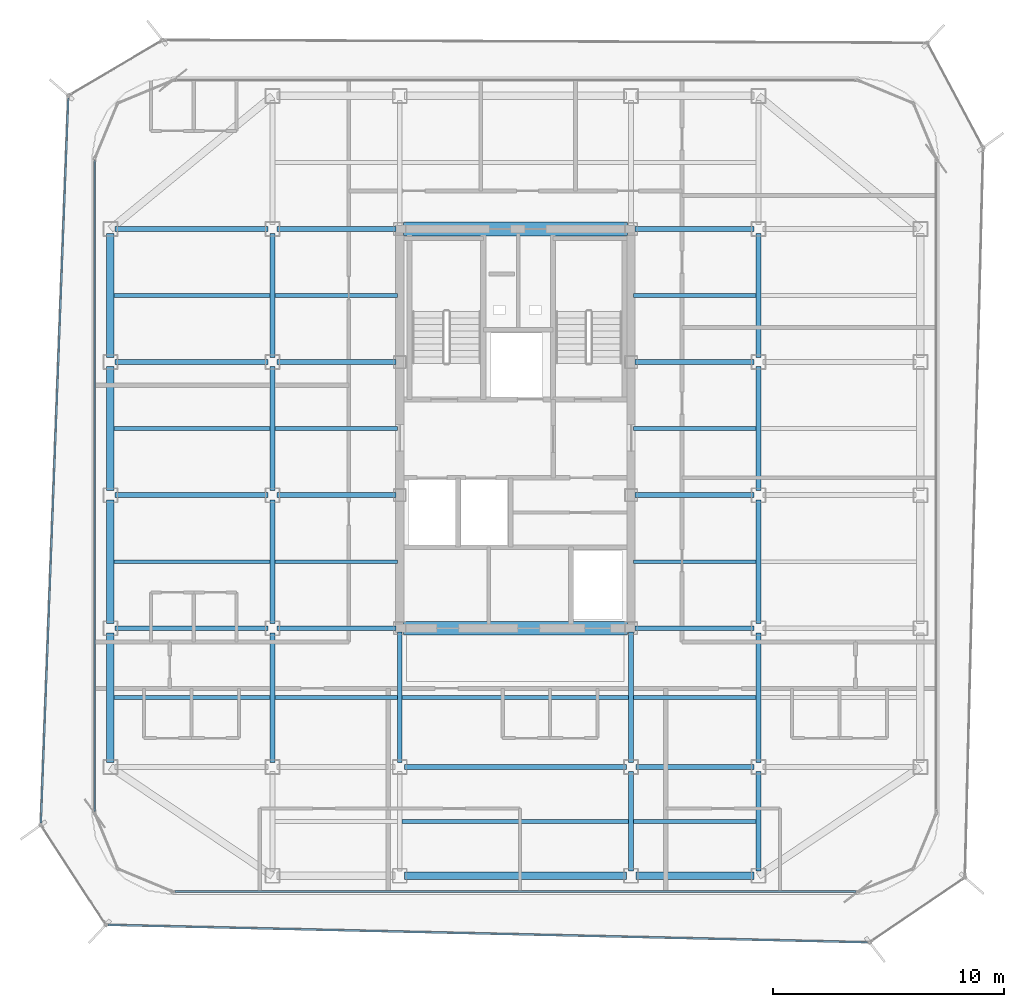
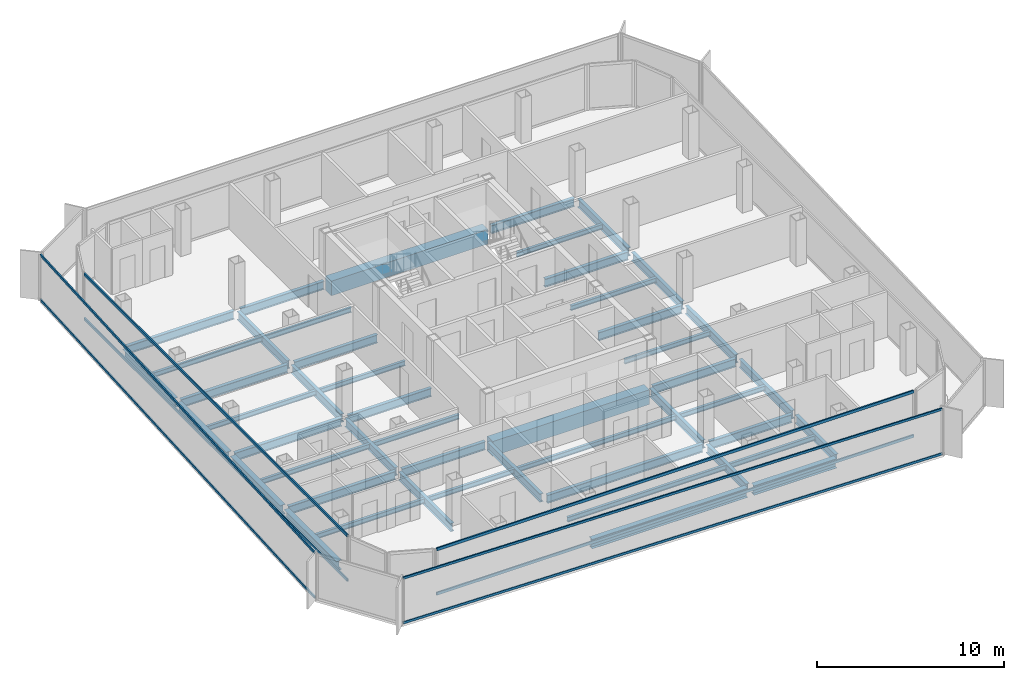
# One storey, part 3 of 15: 49 beams, 8 members, 4 elements without a shape of their own.
"""IFC4 building model written with IfcOpenShell, lengths in metres."""

from ifc_helpers import new_model, si_unit, direction, frame, origin, origin_2d, place, context, subcontext, project, spatial, rectangle, hollow_rectangle, i_section, extrude, source, transform, mapped, material, layer, layer_set, material_profile, profile_set, type_object, element, aggregate, save


model = new_model("IFC4")

# Units and contexts
model_context = context("Model", 3, precision=1e-05, world=origin(), true_north=direction((0.0, 1.0)))
body_context = subcontext(model_context, "Body", "Model", "MODEL_VIEW")
ifc_project = project(units=[si_unit("LENGTHUNIT", "METRE"), si_unit("AREAUNIT", "SQUARE_METRE"), si_unit("VOLUMEUNIT", "CUBIC_METRE"), si_unit("PLANEANGLEUNIT", "RADIAN"), si_unit("MASSUNIT", "GRAM", prefix="KILO")], contexts=[model_context])

# Site, building, storey
site_placement = place(None, origin())
site = spatial("IfcSite", under=ifc_project, at=site_placement, CompositionType="ELEMENT")
building_placement = place(site_placement, origin())
building = spatial("IfcBuilding", under=site, at=building_placement, Name="Kolveth Station Tower", CompositionType="ELEMENT")
storey_placement = place(building_placement, frame((0.0, 0.0, 220.10009765625)))
storey = spatial("IfcBuildingStorey", under=building, at=storey_placement, Name="L62", CompositionType="ELEMENT", Elevation=220.10009765625)

# Beams
ifc_material_1 = material(Name="Steel S355", Category="steel")
ifc_material_profile_1 = material_profile(ifc_material_1, i_section(OverallWidth=0.323974609375, OverallDepth=0.611083984375, WebThickness=0.0126953125, FlangeThickness=0.01904296875, at=origin_2d()), Name="W610x155")
ifc_profile_set_1 = profile_set([ifc_material_profile_1], Name="Steel S355")
beam_type_1 = type_object("IfcBeamType", Name="Beam_SP2", PredefinedType="SPANDREL", material=ifc_profile_set_1)
shared_shape_1 = source(origin(), body_context, "Body", "SweptSolid", [
    extrude(i_section(OverallWidth=0.323974609375, OverallDepth=0.611083984375, WebThickness=0.0126953125, FlangeThickness=0.01904296875, at=origin_2d()), origin(), (0.0, 0.0, 1.0), 5.10009765625),
])
beam_1_placement = place(storey_placement, frame((28.699951171875, 0.800048828125, -0.525634765625), z_axis=(1.0, 0.0, 0.0), x_axis=(0.0, 1.0, 0.0)))
element("IfcBeam", 1, at=beam_1_placement, inside=storey, type_object=beam_type_1, Name="L62 Perimeter Spandrel BM-L62-PS-3", PredefinedType="SPANDREL", context=body_context, shape_type="MappedRepresentation", body=[
    mapped(shared_shape_1, transform((0.0, 0.0, 0.0), x_axis=(1.0, 0.0, 0.0), y_axis=(0.0, 1.0, 0.0), z_axis=(0.0, 0.0, 1.0), scale=1.0)),
])
shared_shape_2 = source(origin(), body_context, "Body", "SweptSolid", [
    extrude(i_section(OverallWidth=0.323974609375, OverallDepth=0.611083984375, WebThickness=0.0126953125, FlangeThickness=0.01904296875, at=origin_2d()), origin(), (0.0, 0.0, 1.0), 9.60009765625),
])
beam_2_placement = place(storey_placement, frame((18.699951171875, 0.800048828125, -0.525634765625), z_axis=(1.0, 0.0, 0.0), x_axis=(0.0, 1.0, 0.0)))
element("IfcBeam", 2, at=beam_2_placement, inside=storey, type_object=beam_type_1, Name="L62 Perimeter Spandrel BM-L62-PS-2", PredefinedType="SPANDREL", context=body_context, shape_type="MappedRepresentation", body=[
    mapped(shared_shape_2, transform((0.0, 0.0, 0.0), x_axis=(1.0, 0.0, 0.0), y_axis=(0.0, 1.0, 0.0), z_axis=(0.0, 0.0, 1.0), scale=1.0)),
])
shared_shape_3 = source(origin(), body_context, "Body", "SweptSolid", [
    extrude(i_section(OverallWidth=0.323974609375, OverallDepth=0.611083984375, WebThickness=0.0126953125, FlangeThickness=0.01904296875, at=origin_2d()), origin(), (0.0, 0.0, 1.0), 5.60009765625),
])
beam_3_placement = place(storey_placement, frame((6.0, 5.699951171875, -0.525634765625), z_axis=(0.0, 1.0, 0.0), x_axis=(-1.0, 0.0, 0.0)))
element("IfcBeam", 3, at=beam_3_placement, inside=storey, type_object=beam_type_1, Name="L62 Perimeter Spandrel BM-L62-PW-1", PredefinedType="SPANDREL", context=body_context, shape_type="MappedRepresentation", body=[
    mapped(shared_shape_3, transform((0.0, 0.0, 0.0), x_axis=(1.0, 0.0, 0.0), y_axis=(0.0, 1.0, 0.0), z_axis=(0.0, 0.0, 1.0), scale=1.0)),
])
shared_shape_4 = source(origin(), body_context, "Body", "SweptSolid", [
    extrude(i_section(OverallWidth=0.323974609375, OverallDepth=0.611083984375, WebThickness=0.0126953125, FlangeThickness=0.01904296875, at=origin_2d()), origin(), (0.0, 0.0, 1.0), 5.35009765625),
])
for number, where, z_axis, x_axis, name in (
    (4, (6.0, 11.699951171875, -0.525634765625), (0.0, 1.0, 0.0), (-1.0, 0.0, 0.0), "L62 Perimeter Spandrel BM-L62-PW-2"),
    (5, (6.0, 17.449951171875, -0.525634765625), (0.0, 1.0, 0.0), (-1.0, 0.0, 0.0), "L62 Perimeter Spandrel BM-L62-PW-3"),
    (6, (6.0, 23.199951171875, -0.525634765625), (0.0, 1.0, 0.0), (-1.0, 0.0, 0.0), "L62 Perimeter Spandrel BM-L62-PW-4"),
):
    element("IfcBeam", number, at=place(storey_placement, frame(where, z_axis=z_axis, x_axis=x_axis)), inside=storey, type_object=beam_type_1, Name=name, PredefinedType="SPANDREL", context=body_context, shape_type="MappedRepresentation", body=[
        mapped(shared_shape_4, transform((0.0, 0.0, 0.0), x_axis=(1.0, 0.0, 0.0), y_axis=(0.0, 1.0, 0.0), z_axis=(0.0, 0.0, 1.0), scale=1.0)),
    ])
ifc_material_profile_2 = material_profile(ifc_material_1, i_section(OverallWidth=0.2099609375, OverallDepth=0.537109375, WebThickness=0.010986328125, FlangeThickness=0.017333984375, at=origin_2d()), Name="W530x101")
ifc_profile_set_2 = profile_set([ifc_material_profile_2], Name="Steel S355")
beam_type_2 = type_object("IfcBeamType", Name="Beam_B6", PredefinedType="BEAM", material=ifc_profile_set_2)
shared_shape_5 = source(origin(), body_context, "Body", "SweptSolid", [
    extrude(i_section(OverallWidth=0.2099609375, OverallDepth=0.537109375, WebThickness=0.010986328125, FlangeThickness=0.017333984375, at=origin_2d()), origin(), (0.0, 0.0, 1.0), 6.60009765625),
])
for number, where, z_axis, x_axis, name in (
    (7, (6.199951171875, 11.5, -0.488525390625), (1.0, 0.0, 0.0), (0.0, 1.0, 0.0), "L62 Primary Girder BM-L62-GY115-1"),
    (8, (6.199951171875, 17.25, -0.488525390625), (1.0, 0.0, 0.0), (0.0, 1.0, 0.0), "L62 Primary Girder BM-L62-GY172-1"),
    (9, (6.199951171875, 23.0, -0.488525390625), (1.0, 0.0, 0.0), (0.0, 1.0, 0.0), "L62 Primary Girder BM-L62-GY230-1"),
    (10, (6.199951171875, 28.75, -0.488525390625), (1.0, 0.0, 0.0), (0.0, 1.0, 0.0), "L62 Primary Girder BM-L62-GY287-1"),
):
    element("IfcBeam", number, at=place(storey_placement, frame(where, z_axis=z_axis, x_axis=x_axis)), inside=storey, type_object=beam_type_2, Name=name, PredefinedType="BEAM", context=body_context, shape_type="MappedRepresentation", body=[
        mapped(shared_shape_5, transform((0.0, 0.0, 0.0), x_axis=(1.0, 0.0, 0.0), y_axis=(0.0, 1.0, 0.0), z_axis=(0.0, 0.0, 1.0), scale=1.0)),
    ])
shared_shape_6 = source(origin(), body_context, "Body", "SweptSolid", [
    extrude(i_section(OverallWidth=0.2099609375, OverallDepth=0.537109375, WebThickness=0.010986328125, FlangeThickness=0.017333984375, at=origin_2d()), origin(), (0.0, 0.0, 1.0), 5.10009765625),
])
beam_4_placement = place(storey_placement, frame((28.699951171875, 5.5, -0.488525390625), z_axis=(1.0, 0.0, 0.0), x_axis=(0.0, 1.0, 0.0)))
element("IfcBeam", 11, at=beam_4_placement, inside=storey, type_object=beam_type_2, Name="L62 Primary Girder BM-L62-GY55-4", PredefinedType="BEAM", context=body_context, shape_type="MappedRepresentation", body=[
    mapped(shared_shape_6, transform((0.0, 0.0, 0.0), x_axis=(1.0, 0.0, 0.0), y_axis=(0.0, 1.0, 0.0), z_axis=(0.0, 0.0, 1.0), scale=1.0)),
])
shared_shape_7 = source(origin(), body_context, "Body", "SweptSolid", [
    extrude(i_section(OverallWidth=0.2099609375, OverallDepth=0.537109375, WebThickness=0.010986328125, FlangeThickness=0.017333984375, at=origin_2d()), origin(), (0.0, 0.0, 1.0), 9.60009765625),
])
beam_5_placement = place(storey_placement, frame((18.699951171875, 5.5, -0.488525390625), z_axis=(1.0, 0.0, 0.0), x_axis=(0.0, 1.0, 0.0)))
element("IfcBeam", 12, at=beam_5_placement, inside=storey, type_object=beam_type_2, Name="L62 Primary Girder BM-L62-GY55-3", PredefinedType="BEAM", context=body_context, shape_type="MappedRepresentation", body=[
    mapped(shared_shape_7, transform((0.0, 0.0, 0.0), x_axis=(1.0, 0.0, 0.0), y_axis=(0.0, 1.0, 0.0), z_axis=(0.0, 0.0, 1.0), scale=1.0)),
])
shared_shape_8 = source(origin(), body_context, "Body", "SweptSolid", [
    extrude(i_section(OverallWidth=0.2099609375, OverallDepth=0.537109375, WebThickness=0.010986328125, FlangeThickness=0.017333984375, at=origin_2d()), origin(), (0.0, 0.0, 1.0), 5.14013671875),
])
for number, where, z_axis, x_axis, name in (
    (13, (13.199951171875, 11.5, -0.488525390625), (1.0, 0.0, 0.0), (0.0, 1.0, 0.0), "L62 Primary Girder BM-L62-GY115-2"),
    (14, (28.659912109375, 11.5, -0.488525390625), (1.0, 0.0, 0.0), (0.0, 1.0, 0.0), "L62 Primary Girder BM-L62-GY115-4"),
    (15, (13.199951171875, 17.25, -0.488525390625), (1.0, 0.0, 0.0), (0.0, 1.0, 0.0), "L62 Primary Girder BM-L62-GY172-2"),
    (16, (28.659912109375, 17.25, -0.488525390625), (1.0, 0.0, 0.0), (0.0, 1.0, 0.0), "L62 Primary Girder BM-L62-GY172-4"),
    (17, (13.199951171875, 23.0, -0.488525390625), (1.0, 0.0, 0.0), (0.0, 1.0, 0.0), "L62 Primary Girder BM-L62-GY230-2"),
    (18, (28.659912109375, 23.0, -0.488525390625), (1.0, 0.0, 0.0), (0.0, 1.0, 0.0), "L62 Primary Girder BM-L62-GY230-4"),
    (19, (13.199951171875, 28.75, -0.488525390625), (1.0, 0.0, 0.0), (0.0, 1.0, 0.0), "L62 Primary Girder BM-L62-GY287-2"),
    (20, (28.659912109375, 28.75, -0.488525390625), (1.0, 0.0, 0.0), (0.0, 1.0, 0.0), "L62 Primary Girder BM-L62-GY287-4"),
):
    element("IfcBeam", number, at=place(storey_placement, frame(where, z_axis=z_axis, x_axis=x_axis)), inside=storey, type_object=beam_type_2, Name=name, PredefinedType="BEAM", context=body_context, shape_type="MappedRepresentation", body=[
        mapped(shared_shape_8, transform((0.0, 0.0, 0.0), x_axis=(1.0, 0.0, 0.0), y_axis=(0.0, 1.0, 0.0), z_axis=(0.0, 0.0, 1.0), scale=1.0)),
    ])
ifc_material_2 = material(Name="Concrete C60/75", Category="concrete")
ifc_material_profile_3 = material_profile(ifc_material_2, rectangle(XDim=0.60009765625, YDim=0.949951171875, at=origin_2d()), Name="RC-600x950")
ifc_profile_set_3 = profile_set([ifc_material_profile_3], Name="Concrete C60/75")
beam_type_3 = type_object("IfcBeamType", Name="Beam_CB1", PredefinedType="BEAM", material=ifc_profile_set_3)
shared_shape_9 = source(origin(), body_context, "Body", "SweptSolid", [
    extrude(rectangle(XDim=0.60009765625, YDim=0.949951171875, at=origin_2d()), origin(), (0.0, 0.0, 1.0), 9.68017578125),
])
for number, where, z_axis, x_axis, name in (
    (21, (18.659912109375, 11.5, -0.695068359375), (1.0, 0.0, 0.0), (0.0, 1.0, 0.0), "L62 Core Coupling Beam BM-L62-CB-Y115"),
    (22, (18.659912109375, 28.75, -0.695068359375), (1.0, 0.0, 0.0), (0.0, 1.0, 0.0), "L62 Core Coupling Beam BM-L62-CB-Y287"),
):
    element("IfcBeam", number, at=place(storey_placement, frame(where, z_axis=z_axis, x_axis=x_axis)), inside=storey, type_object=beam_type_3, Name=name, PredefinedType="BEAM", context=body_context, shape_type="MappedRepresentation", body=[
        mapped(shared_shape_9, transform((0.0, 0.0, 0.0), x_axis=(1.0, 0.0, 0.0), y_axis=(0.0, 1.0, 0.0), z_axis=(0.0, 0.0, 1.0), scale=1.0)),
    ])
shared_shape_10 = source(origin(), body_context, "Body", "SweptSolid", [
    extrude(i_section(OverallWidth=0.2099609375, OverallDepth=0.537109375, WebThickness=0.010986328125, FlangeThickness=0.017333984375, at=origin_2d()), origin(), (0.0, 0.0, 1.0), 4.300048828125),
])
for number, where, z_axis, x_axis, name in (
    (23, (28.5, 1.0, -0.488525390625), (0.0, 1.0, 0.0), (-1.0, 0.0, 0.0), "L62 Primary Girder BM-L62-GX285-1"),
    (24, (34.0, 1.0, -0.488525390625), (0.0, 1.0, 0.0), (-1.0, 0.0, 0.0), "L62 Primary Girder BM-L62-GX340-1"),
):
    element("IfcBeam", number, at=place(storey_placement, frame(where, z_axis=z_axis, x_axis=x_axis)), inside=storey, type_object=beam_type_2, Name=name, PredefinedType="BEAM", context=body_context, shape_type="MappedRepresentation", body=[
        mapped(shared_shape_10, transform((0.0, 0.0, 0.0), x_axis=(1.0, 0.0, 0.0), y_axis=(0.0, 1.0, 0.0), z_axis=(0.0, 0.0, 1.0), scale=1.0)),
    ])
shared_shape_11 = source(origin(), body_context, "Body", "SweptSolid", [
    extrude(i_section(OverallWidth=0.2099609375, OverallDepth=0.537109375, WebThickness=0.010986328125, FlangeThickness=0.017333984375, at=origin_2d()), origin(), (0.0, 0.0, 1.0), 5.60009765625),
])
for number, where, z_axis, x_axis, name in (
    (25, (13.0, 5.699951171875, -0.488525390625), (0.0, 1.0, 0.0), (-1.0, 0.0, 0.0), "L62 Primary Girder BM-L62-GX130-2"),
    (26, (34.0, 5.699951171875, -0.488525390625), (0.0, 1.0, 0.0), (-1.0, 0.0, 0.0), "L62 Primary Girder BM-L62-GX340-2"),
):
    element("IfcBeam", number, at=place(storey_placement, frame(where, z_axis=z_axis, x_axis=x_axis)), inside=storey, type_object=beam_type_2, Name=name, PredefinedType="BEAM", context=body_context, shape_type="MappedRepresentation", body=[
        mapped(shared_shape_11, transform((0.0, 0.0, 0.0), x_axis=(1.0, 0.0, 0.0), y_axis=(0.0, 1.0, 0.0), z_axis=(0.0, 0.0, 1.0), scale=1.0)),
    ])
shared_shape_12 = source(origin(), body_context, "Body", "SweptSolid", [
    extrude(i_section(OverallWidth=0.2099609375, OverallDepth=0.537109375, WebThickness=0.010986328125, FlangeThickness=0.017333984375, at=origin_2d()), origin(), (0.0, 0.0, 1.0), 5.35009765625),
])
for number, where, z_axis, x_axis, name in (
    (27, (13.0, 11.699951171875, -0.488525390625), (0.0, 1.0, 0.0), (-1.0, 0.0, 0.0), "L62 Primary Girder BM-L62-GX130-3"),
    (28, (13.0, 17.449951171875, -0.488525390625), (0.0, 1.0, 0.0), (-1.0, 0.0, 0.0), "L62 Primary Girder BM-L62-GX130-4"),
    (29, (13.0, 23.199951171875, -0.488525390625), (0.0, 1.0, 0.0), (-1.0, 0.0, 0.0), "L62 Primary Girder BM-L62-GX130-5"),
    (30, (34.0, 11.699951171875, -0.488525390625), (0.0, 1.0, 0.0), (-1.0, 0.0, 0.0), "L62 Primary Girder BM-L62-GX340-3"),
    (31, (34.0, 17.449951171875, -0.488525390625), (0.0, 1.0, 0.0), (-1.0, 0.0, 0.0), "L62 Primary Girder BM-L62-GX340-4"),
    (32, (34.0, 23.199951171875, -0.488525390625), (0.0, 1.0, 0.0), (-1.0, 0.0, 0.0), "L62 Primary Girder BM-L62-GX340-5"),
):
    element("IfcBeam", number, at=place(storey_placement, frame(where, z_axis=z_axis, x_axis=x_axis)), inside=storey, type_object=beam_type_2, Name=name, PredefinedType="BEAM", context=body_context, shape_type="MappedRepresentation", body=[
        mapped(shared_shape_12, transform((0.0, 0.0, 0.0), x_axis=(1.0, 0.0, 0.0), y_axis=(0.0, 1.0, 0.0), z_axis=(0.0, 0.0, 1.0), scale=1.0)),
    ])
shared_shape_13 = source(origin(), body_context, "Body", "SweptSolid", [
    extrude(i_section(OverallWidth=0.2099609375, OverallDepth=0.537109375, WebThickness=0.010986328125, FlangeThickness=0.017333984375, at=origin_2d()), origin(), (0.0, 0.0, 1.0), 5.64013671875),
])
for number, where, z_axis, x_axis, name in (
    (33, (18.5, 5.699951171875, -0.488525390625), (0.0, 1.0, 0.0), (-1.0, 0.0, 0.0), "L62 Primary Girder BM-L62-GX185-2"),
    (34, (28.5, 5.699951171875, -0.488525390625), (0.0, 1.0, 0.0), (-1.0, 0.0, 0.0), "L62 Primary Girder BM-L62-GX285-2"),
):
    element("IfcBeam", number, at=place(storey_placement, frame(where, z_axis=z_axis, x_axis=x_axis)), inside=storey, type_object=beam_type_2, Name=name, PredefinedType="BEAM", context=body_context, shape_type="MappedRepresentation", body=[
        mapped(shared_shape_13, transform((0.0, 0.0, 0.0), x_axis=(1.0, 0.0, 0.0), y_axis=(0.0, 1.0, 0.0), z_axis=(0.0, 0.0, 1.0), scale=1.0)),
    ])
ifc_material_profile_4 = material_profile(ifc_material_1, i_section(OverallWidth=0.1650390625, OverallDepth=0.31005859375, WebThickness=0.005859375, FlangeThickness=0.009765625, at=origin_2d()), Name="W310x39")
ifc_profile_set_4 = profile_set([ifc_material_profile_4], Name="Steel S355")
beam_type_4 = type_object("IfcBeamType", Name="Beam_J3", PredefinedType="JOIST", material=ifc_profile_set_4)
shared_shape_14 = source(origin(), body_context, "Body", "SweptSolid", [
    extrude(i_section(OverallWidth=0.1650390625, OverallDepth=0.31005859375, WebThickness=0.005859375, FlangeThickness=0.009765625, at=origin_2d()), origin(), (0.0, 0.0, 1.0), 6.737060546875),
])
for number, where, z_axis, x_axis, name in (
    (35, (6.159912109375, 8.5, -0.375), (1.0, 0.0, 0.0), (0.0, 1.0, 0.0), "L62 Secondary Joist JST-L62-1-2"),
    (36, (6.159912109375, 14.375, -0.375), (1.0, 0.0, 0.0), (0.0, 1.0, 0.0), "L62 Secondary Joist JST-L62-1-3"),
    (37, (6.159912109375, 20.125, -0.375), (1.0, 0.0, 0.0), (0.0, 1.0, 0.0), "L62 Secondary Joist JST-L62-1-4"),
    (38, (6.159912109375, 25.875, -0.375), (1.0, 0.0, 0.0), (0.0, 1.0, 0.0), "L62 Secondary Joist JST-L62-1-5"),
):
    element("IfcBeam", number, at=place(storey_placement, frame(where, z_axis=z_axis, x_axis=x_axis)), inside=storey, type_object=beam_type_4, Name=name, PredefinedType="JOIST", context=body_context, shape_type="MappedRepresentation", body=[
        mapped(shared_shape_14, transform((0.0, 0.0, 0.0), x_axis=(1.0, 0.0, 0.0), y_axis=(0.0, 1.0, 0.0), z_axis=(0.0, 0.0, 1.0), scale=1.0)),
    ])
shared_shape_15 = source(origin(), body_context, "Body", "SweptSolid", [
    extrude(i_section(OverallWidth=0.1650390625, OverallDepth=0.31005859375, WebThickness=0.005859375, FlangeThickness=0.009765625, at=origin_2d()), origin(), (0.0, 0.0, 1.0), 5.2939453125),
])
for number, where, z_axis, x_axis, name in (
    (39, (13.10302734375, 8.5, -0.375), (1.0, 0.0, 0.0), (0.0, 1.0, 0.0), "L62 Secondary Joist JST-L62-2-2"),
    (40, (13.10302734375, 14.375, -0.375), (1.0, 0.0, 0.0), (0.0, 1.0, 0.0), "L62 Secondary Joist JST-L62-2-3"),
    (41, (13.10302734375, 20.125, -0.375), (1.0, 0.0, 0.0), (0.0, 1.0, 0.0), "L62 Secondary Joist JST-L62-2-4"),
    (42, (13.10302734375, 25.875, -0.375), (1.0, 0.0, 0.0), (0.0, 1.0, 0.0), "L62 Secondary Joist JST-L62-2-5"),
    (43, (28.60302734375, 3.14990234375, -0.375), (1.0, 0.0, 0.0), (0.0, 1.0, 0.0), "L62 Secondary Joist JST-L62-4-1"),
    (44, (28.60302734375, 8.5, -0.375), (1.0, 0.0, 0.0), (0.0, 1.0, 0.0), "L62 Secondary Joist JST-L62-4-2"),
    (45, (28.60302734375, 14.375, -0.375), (1.0, 0.0, 0.0), (0.0, 1.0, 0.0), "L62 Secondary Joist JST-L62-4-3"),
    (46, (28.60302734375, 20.125, -0.375), (1.0, 0.0, 0.0), (0.0, 1.0, 0.0), "L62 Secondary Joist JST-L62-4-4"),
    (47, (28.60302734375, 25.875, -0.375), (1.0, 0.0, 0.0), (0.0, 1.0, 0.0), "L62 Secondary Joist JST-L62-4-5"),
):
    element("IfcBeam", number, at=place(storey_placement, frame(where, z_axis=z_axis, x_axis=x_axis)), inside=storey, type_object=beam_type_4, Name=name, PredefinedType="JOIST", context=body_context, shape_type="MappedRepresentation", body=[
        mapped(shared_shape_15, transform((0.0, 0.0, 0.0), x_axis=(1.0, 0.0, 0.0), y_axis=(0.0, 1.0, 0.0), z_axis=(0.0, 0.0, 1.0), scale=1.0)),
    ])
shared_shape_16 = source(origin(), body_context, "Body", "SweptSolid", [
    extrude(i_section(OverallWidth=0.1650390625, OverallDepth=0.31005859375, WebThickness=0.005859375, FlangeThickness=0.009765625, at=origin_2d()), origin(), (0.0, 0.0, 1.0), 9.7939453125),
])
for number, where, z_axis, x_axis, name in (
    (48, (18.60302734375, 3.14990234375, -0.375), (1.0, 0.0, 0.0), (0.0, 1.0, 0.0), "L62 Secondary Joist JST-L62-3-1"),
    (49, (18.60302734375, 8.5, -0.375), (1.0, 0.0, 0.0), (0.0, 1.0, 0.0), "L62 Secondary Joist JST-L62-3-2"),
):
    element("IfcBeam", number, at=place(storey_placement, frame(where, z_axis=z_axis, x_axis=x_axis)), inside=storey, type_object=beam_type_4, Name=name, PredefinedType="JOIST", context=body_context, shape_type="MappedRepresentation", body=[
        mapped(shared_shape_16, transform((0.0, 0.0, 0.0), x_axis=(1.0, 0.0, 0.0), y_axis=(0.0, 1.0, 0.0), z_axis=(0.0, 0.0, 1.0), scale=1.0)),
    ])

# Curtain wall, members
ifc_material_3 = material(Name="Aluminium 6063-T6 and triple low-E dark glass", Category="aluminium")
ifc_layer_1 = layer(ifc_material_3, 0.199951171875)
ifc_layer_set_1 = layer_set([ifc_layer_1], Name="Aluminium 6063-T6 and triple low-E dark glass")
curtain_wall_type_1 = type_object("IfcCurtainWallType", Name="CurtainWall_CW-Z3", PredefinedType="NOTDEFINED", material=ifc_layer_set_1)
curtain_wall_1_placement = place(storey_placement, origin())
curtain_wall_1 = element("IfcCurtainWall", 50, at=curtain_wall_1_placement, inside=storey, type_object=curtain_wall_type_1, Name="L62 Inner Thermal Curtain Wall 9", PredefinedType="NOTDEFINED")
ifc_material_4 = material(Name="Black anodized aluminium 6063-T6", Category="aluminium")
ifc_material_profile_5 = material_profile(ifc_material_4, hollow_rectangle(XDim=0.0849609375, YDim=0.179931640625, WallThickness=0.0048828125, at=origin_2d()), Name="ALU-85x180x5")
ifc_profile_set_5 = profile_set([ifc_material_profile_5], Name="Black anodized aluminium 6063-T6")
member_type_1 = type_object("IfcMemberType", Name="Transom_TR3", PredefinedType="USERDEFINED", material=ifc_profile_set_5)
shared_shape_17 = source(origin(), body_context, "Body", "SweptSolid", [
    extrude(hollow_rectangle(XDim=0.0849609375, YDim=0.179931640625, WallThickness=0.0048828125, at=origin_2d()), origin(), (0.0, 0.0, 1.0), 28.130126953125),
])
member_1_placement = place(storey_placement, frame((5.320068359375, 31.715087890625, 0.04248046875), z_axis=(0.0, -1.0, 0.0), x_axis=(1.0, 0.0, 0.0)))
member_1 = element("IfcMember", 51, at=member_1_placement, type_object=member_type_1, Name="CW-Z3 transom 1.1", ObjectType="TRANSOM", PredefinedType="USERDEFINED", context=body_context, shape_type="MappedRepresentation", body=[
    mapped(shared_shape_17, transform((0.0, 0.0, 0.0), x_axis=(1.0, 0.0, 0.0), y_axis=(0.0, 1.0, 0.0), z_axis=(0.0, 0.0, 1.0), scale=1.0)),
])
member_2_placement = place(storey_placement, frame((5.320068359375, 31.715087890625, 2.9375), z_axis=(0.0, -1.0, 0.0), x_axis=(1.0, 0.0, 0.0)))
member_2 = element("IfcMember", 52, at=member_2_placement, type_object=member_type_1, Name="CW-Z3 transom 1.2", ObjectType="TRANSOM", PredefinedType="USERDEFINED", context=body_context, shape_type="MappedRepresentation", body=[
    mapped(shared_shape_17, transform((0.0, 0.0, 0.0), x_axis=(1.0, 0.0, 0.0), y_axis=(0.0, 1.0, 0.0), z_axis=(0.0, 0.0, 1.0), scale=1.0)),
])
aggregate(curtain_wall_1, [member_1, member_2])

curtain_wall_2_placement = place(storey_placement, origin())
curtain_wall_2 = element("IfcCurtainWall", 53, at=curtain_wall_2_placement, inside=storey, type_object=curtain_wall_type_1, Name="L62 Inner Thermal Curtain Wall 12", PredefinedType="NOTDEFINED")
shared_shape_18 = source(origin(), body_context, "Body", "SweptSolid", [
    extrude(hollow_rectangle(XDim=0.0849609375, YDim=0.179931640625, WallThickness=0.0048828125, at=origin_2d()), origin(), (0.0, 0.0, 1.0), 29.43017578125),
])
member_3_placement = place(storey_placement, frame((8.784912109375, 0.1201171875, 0.04248046875), z_axis=(1.0, 0.0, 0.0), x_axis=(0.0, 1.0, 0.0)))
member_3 = element("IfcMember", 54, at=member_3_placement, type_object=member_type_1, Name="CW-Z3 transom 1.1", ObjectType="TRANSOM", PredefinedType="USERDEFINED", context=body_context, shape_type="MappedRepresentation", body=[
    mapped(shared_shape_18, transform((0.0, 0.0, 0.0), x_axis=(1.0, 0.0, 0.0), y_axis=(0.0, 1.0, 0.0), z_axis=(0.0, 0.0, 1.0), scale=1.0)),
])
member_4_placement = place(storey_placement, frame((8.784912109375, 0.1201171875, 2.9375), z_axis=(1.0, 0.0, 0.0), x_axis=(0.0, 1.0, 0.0)))
member_4 = element("IfcMember", 55, at=member_4_placement, type_object=member_type_1, Name="CW-Z3 transom 1.2", ObjectType="TRANSOM", PredefinedType="USERDEFINED", context=body_context, shape_type="MappedRepresentation", body=[
    mapped(shared_shape_18, transform((0.0, 0.0, 0.0), x_axis=(1.0, 0.0, 0.0), y_axis=(0.0, 1.0, 0.0), z_axis=(0.0, 0.0, 1.0), scale=1.0)),
])
aggregate(curtain_wall_2, [member_3, member_4])

ifc_material_5 = material(Name="Black anodized aluminium 6063-T6 and dark solar glass", Category="aluminium")
ifc_layer_2 = layer(ifc_material_5, 0.159912109375)
ifc_layer_set_2 = layer_set([ifc_layer_2], Name="Black anodized aluminium 6063-T6 and dark solar glass")
curtain_wall_type_2 = type_object("IfcCurtainWallType", Name="OUTER SKIN CW-OS", PredefinedType="NOTDEFINED", material=ifc_layer_set_2)
curtain_wall_3_placement = place(storey_placement, origin())
curtain_wall_3 = element("IfcCurtainWall", 56, at=curtain_wall_3_placement, inside=storey, type_object=curtain_wall_type_2, Name="L62 Outer Ventilated Skin Curtain Wall 6", PredefinedType="NOTDEFINED")
ifc_material_profile_6 = material_profile(ifc_material_4, hollow_rectangle(XDim=0.080078125, YDim=0.14990234375, WallThickness=0.0048828125, at=origin_2d()), Name="ALU-80x150x5")
ifc_profile_set_6 = profile_set([ifc_material_profile_6], Name="Black anodized aluminium 6063-T6")
member_type_2 = type_object("IfcMemberType", Name="Transom_TR-OS", PredefinedType="USERDEFINED", material=ifc_profile_set_6)
shared_shape_19 = source(origin(), body_context, "Body", "SweptSolid", [
    extrude(hollow_rectangle(XDim=0.080078125, YDim=0.14990234375, WallThickness=0.0048828125, at=origin_2d()), origin(), (0.0, 0.0, 1.0), 31.355712890625),
])
member_5_placement = place(storey_placement, frame((4.177490234375, 34.419189453125, 0.039794921875), z_axis=(-0.037731601579, -0.999287909585, 0.0), x_axis=(0.999287909585, -0.037731601579, 0.0)))
member_5 = element("IfcMember", 57, at=member_5_placement, type_object=member_type_2, Name="CW-OS transom 1.1", ObjectType="TRANSOM", PredefinedType="USERDEFINED", context=body_context, shape_type="MappedRepresentation", body=[
    mapped(shared_shape_19, transform((0.0, 0.0, 0.0), x_axis=(1.0, 0.0, 0.0), y_axis=(0.0, 1.0, 0.0), z_axis=(0.0, 0.0, 1.0), scale=1.0)),
])
member_6_placement = place(storey_placement, frame((4.177490234375, 34.419189453125, 2.949951171875), z_axis=(-0.037731601579, -0.999287909585, 0.0), x_axis=(0.999287909585, -0.037731601579, 0.0)))
member_6 = element("IfcMember", 58, at=member_6_placement, type_object=member_type_2, Name="CW-OS transom 1.2", ObjectType="TRANSOM", PredefinedType="USERDEFINED", context=body_context, shape_type="MappedRepresentation", body=[
    mapped(shared_shape_19, transform((0.0, 0.0, 0.0), x_axis=(1.0, 0.0, 0.0), y_axis=(0.0, 1.0, 0.0), z_axis=(0.0, 0.0, 1.0), scale=1.0)),
])
aggregate(curtain_wall_3, [member_5, member_6])

curtain_wall_4_placement = place(storey_placement, origin())
curtain_wall_4 = element("IfcCurtainWall", 59, at=curtain_wall_4_placement, inside=storey, type_object=curtain_wall_type_2, Name="L62 Outer Ventilated Skin Curtain Wall 8", PredefinedType="NOTDEFINED")
shared_shape_20 = source(origin(), body_context, "Body", "SweptSolid", [
    extrude(hollow_rectangle(XDim=0.080078125, YDim=0.14990234375, WallThickness=0.0048828125, at=origin_2d()), origin(), (0.0, 0.0, 1.0), 32.829833984375),
])
member_7_placement = place(storey_placement, frame((5.89111328125, -1.320068359375, 0.039794921875), z_axis=(0.99973646373, -0.022956547826, 0.0), x_axis=(0.022956547826, 0.99973646373, 0.0)))
member_7 = element("IfcMember", 60, at=member_7_placement, type_object=member_type_2, Name="CW-OS transom 1.1", ObjectType="TRANSOM", PredefinedType="USERDEFINED", context=body_context, shape_type="MappedRepresentation", body=[
    mapped(shared_shape_20, transform((0.0, 0.0, 0.0), x_axis=(1.0, 0.0, 0.0), y_axis=(0.0, 1.0, 0.0), z_axis=(0.0, 0.0, 1.0), scale=1.0)),
])
member_8_placement = place(storey_placement, frame((5.89111328125, -1.320068359375, 2.949951171875), z_axis=(0.99973646373, -0.022956547826, 0.0), x_axis=(0.022956547826, 0.99973646373, 0.0)))
member_8 = element("IfcMember", 61, at=member_8_placement, type_object=member_type_2, Name="CW-OS transom 1.2", ObjectType="TRANSOM", PredefinedType="USERDEFINED", context=body_context, shape_type="MappedRepresentation", body=[
    mapped(shared_shape_20, transform((0.0, 0.0, 0.0), x_axis=(1.0, 0.0, 0.0), y_axis=(0.0, 1.0, 0.0), z_axis=(0.0, 0.0, 1.0), scale=1.0)),
])
aggregate(curtain_wall_4, [member_7, member_8])

save(model, "model.ifc")
